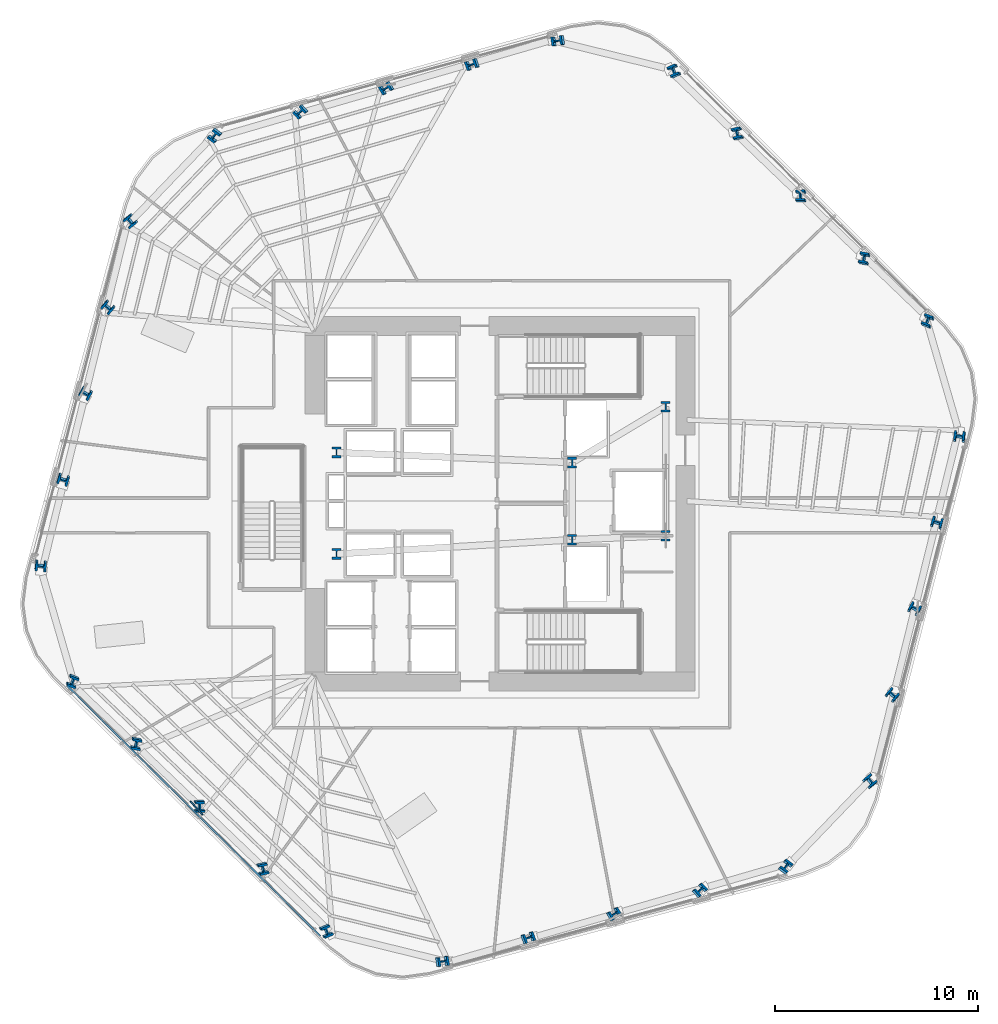
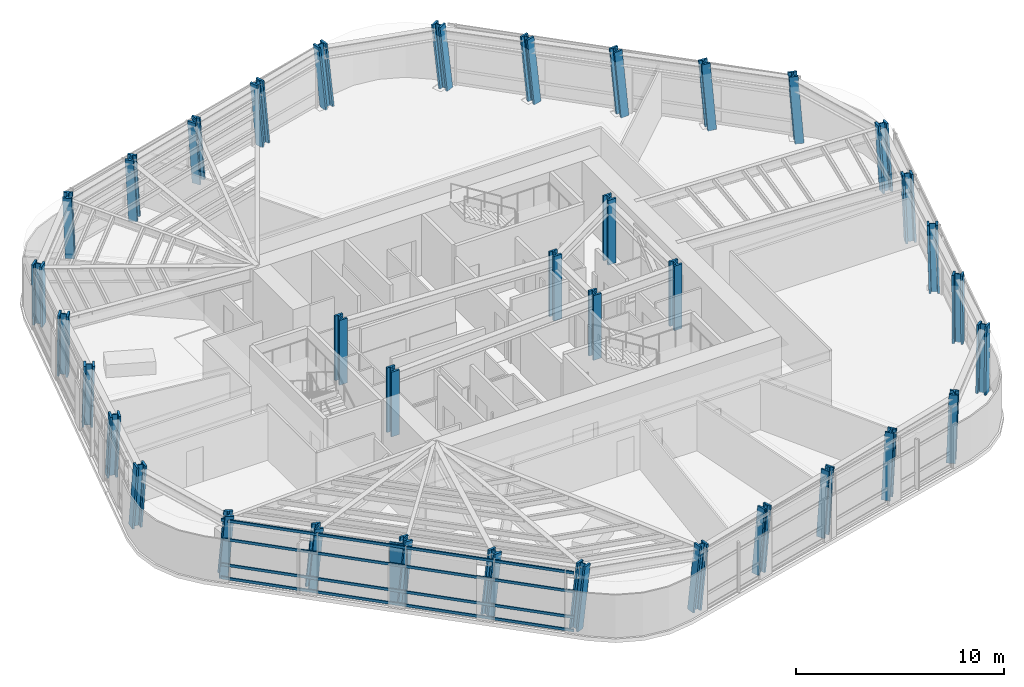
# One storey, part 1 of 16: 36 columns, 5 members, 1 element without a shape of its own.
"""IFC4 building model written with IfcOpenShell, lengths in metres."""

from ifc_helpers import new_model, si_unit, direction, frame, origin, origin_2d, place, context, subcontext, project, spatial, rectangle, i_section, extrude, material, layer, layer_set, material_profile, profile_set, type_object, element, aggregate, save


model = new_model("IFC4")

# Units and contexts
model_context = context("Model", 3, precision=1e-05, world=origin(), true_north=direction((0.0, 1.0)))
body_context = subcontext(model_context, "Body", "Model", "MODEL_VIEW")
ifc_project = project(units=[si_unit("LENGTHUNIT", "METRE"), si_unit("AREAUNIT", "SQUARE_METRE"), si_unit("VOLUMEUNIT", "CUBIC_METRE"), si_unit("PLANEANGLEUNIT", "RADIAN"), si_unit("MASSUNIT", "GRAM", prefix="KILO")], contexts=[model_context])

# Site, building, storey
site_placement = place(None, origin())
site = spatial("IfcSite", under=ifc_project, at=site_placement, CompositionType="ELEMENT")
building_placement = place(site_placement, origin())
building = spatial("IfcBuilding", under=site, at=building_placement, Name="Valkerne Bourse Tower", CompositionType="ELEMENT")
storey_placement = place(building_placement, frame((0.0, 0.0, 89.60009765625)))
storey = spatial("IfcBuildingStorey", under=building, at=storey_placement, Name="L22", CompositionType="ELEMENT", Elevation=89.60009765625)

# Columns
ifc_material_1 = material(Name="Steel ASTM A913 Grade 65", Category="steel")
ifc_material_profile_1 = material_profile(ifc_material_1, i_section(OverallWidth=0.44189453125, OverallDepth=0.531005859375, WebThickness=0.06591796875, FlangeThickness=0.105712890625, FilletRadius=0.030517578125, at=origin_2d()), Name="W14X605")
ifc_profile_set_1 = profile_set([ifc_material_profile_1], Name="Steel ASTM A913 Grade 65")
column_type = type_object("IfcColumnType", Name="COL-W14X605", PredefinedType="COLUMN", material=ifc_profile_set_1)
for number, where, z_axis, x_axis, name in (
    (1, (38.75, 24.39990234375, 0.0048828125), (0.0, 0.0, 1.0), (1.0, 0.0, 0.0), "L22 Core Frame Column CC-SW"),
    (2, (38.75, 29.39990234375, 0.0048828125), (0.0, 0.0, 1.0), (1.0, 0.0, 0.0), "L22 Core Frame Column CC-NW"),
    (3, (50.35009765625, 25.10009765625, 0.0048828125), (0.0, 0.0, 1.0), (1.0, 0.0, 0.0), "L22 Core Frame Column CC-CE1"),
    (4, (50.35009765625, 28.89990234375, 0.0048828125), (0.0, 0.0, 1.0), (1.0, 0.0, 0.0), "L22 Core Frame Column CC-CE2"),
    (5, (54.949951171875, 25.300048828125, 0.0048828125), (0.0, 0.0, 1.0), (1.0, 0.0, 0.0), "L22 Core Frame Column CC-SE"),
    (6, (54.949951171875, 31.64990234375, 0.0048828125), (0.0, 0.0, 1.0), (1.0, 0.0, 0.0), "L22 Core Frame Column CC-NE"),
):
    element("IfcColumn", number, at=place(storey_placement, frame(where, z_axis=z_axis, x_axis=x_axis)), inside=storey, type_object=column_type, Name=name, PredefinedType="COLUMN", context=body_context, shape_type="SweptSolid", body=[
        extrude(i_section(OverallWidth=0.44189453125, OverallDepth=0.531005859375, WebThickness=0.06591796875, FlangeThickness=0.105712890625, FilletRadius=0.030517578125, at=origin_2d()), origin(), (0.0, 0.0, 1.0), 3.794921875),
    ])
column_1_placement = place(storey_placement, frame((67.864013671875, 35.8232421875, 0.010009765625), z_axis=(-0.037219152092, 0.086780406432, 0.995531966226), x_axis=(0.929268027687, -0.363386246803, 0.066418132706)))
element("IfcColumn", 7, at=column_1_placement, inside=storey, type_object=column_type, Name="L22 Helical Perimeter Tube Column F1-C1", PredefinedType="COLUMN", context=body_context, shape_type="SweptSolid", body=[
    extrude(i_section(OverallWidth=0.44189453125, OverallDepth=0.531005859375, WebThickness=0.06591796875, FlangeThickness=0.105712890625, FilletRadius=0.030517578125, at=origin_2d()), origin(), (0.0, 0.0, 1.0), 3.798095703125),
])
column_2_placement = place(storey_placement, frame((64.748291015625, 38.90625, 0.010009765625), z_axis=(-0.049843021459, 0.073831985335, 0.996024352691), x_axis=(0.98112185654, -0.182958212602, 0.062659357325)))
element("IfcColumn", 8, at=column_2_placement, inside=storey, type_object=column_type, Name="L22 Helical Perimeter Tube Column F1-C2", PredefinedType="COLUMN", context=body_context, shape_type="SweptSolid", body=[
    extrude(i_section(OverallWidth=0.44189453125, OverallDepth=0.531005859375, WebThickness=0.06591796875, FlangeThickness=0.105712890625, FilletRadius=0.030517578125, at=origin_2d()), origin(), (0.0, 0.0, 1.0), 3.796142578125),
])
column_3_placement = place(storey_placement, frame((61.633056640625, 41.989013671875, 0.010009765625), z_axis=(-0.062522744902, 0.060914649611, 0.996182870678), x_axis=(0.997910122776, 0.020135506987, 0.061399904063)))
element("IfcColumn", 9, at=column_3_placement, inside=storey, type_object=column_type, Name="L22 Helical Perimeter Tube Column F1-C3", PredefinedType="COLUMN", context=body_context, shape_type="SweptSolid", body=[
    extrude(i_section(OverallWidth=0.44189453125, OverallDepth=0.531005859375, WebThickness=0.06591796875, FlangeThickness=0.105712890625, FilletRadius=0.030517578125, at=origin_2d()), origin(), (0.0, 0.0, 1.0), 3.79541015625),
])
column_4_placement = place(storey_placement, frame((58.517578125, 45.072021484375, 0.010009765625), z_axis=(-0.075182095115, 0.047913311258, 0.996018055649), x_axis=(0.972823049191, 0.222896643297, 0.062708861965)))
element("IfcColumn", 10, at=column_4_placement, inside=storey, type_object=column_type, Name="L22 Helical Perimeter Tube Column F1-C4", PredefinedType="COLUMN", context=body_context, shape_type="SweptSolid", body=[
    extrude(i_section(OverallWidth=0.44189453125, OverallDepth=0.531005859375, WebThickness=0.06591796875, FlangeThickness=0.105712890625, FilletRadius=0.030517578125, at=origin_2d()), origin(), (0.0, 0.0, 1.0), 3.796142578125),
])
for number, where, z_axis, x_axis, name in (
    (11, (55.402099609375, 48.155029296875, 0.010009765625), (-0.087744572801, 0.034904983906, 0.995531281298), (0.913391549308, 0.401626486395, 0.0664232119), "L22 Helical Perimeter Tube Column F1-C5"),
    (12, (49.69091796875, 49.6533203125, 0.010009765625), (-0.093786817478, 0.011249275571, 0.995528747283), (-0.145953052766, 0.988977472356, -0.024925199306), "L22 Helical Perimeter Tube Column F2-C1"),
):
    element("IfcColumn", number, at=place(storey_placement, frame(where, z_axis=z_axis, x_axis=x_axis)), inside=storey, type_object=column_type, Name=name, PredefinedType="COLUMN", context=body_context, shape_type="SweptSolid", body=[
        extrude(i_section(OverallWidth=0.44189453125, OverallDepth=0.531005859375, WebThickness=0.06591796875, FlangeThickness=0.105712890625, FilletRadius=0.030517578125, at=origin_2d()), origin(), (0.0, 0.0, 1.0), 3.798095703125),
    ])
column_5_placement = place(storey_placement, frame((45.463134765625, 48.496826171875, 0.010009765625), z_axis=(-0.088881214349, -0.006238406506, 0.996022696539), x_axis=(-0.329712884558, 0.943788452989, -0.023511056145)))
element("IfcColumn", 13, at=column_5_placement, inside=storey, type_object=column_type, Name="L22 Helical Perimeter Tube Column F2-C2", PredefinedType="COLUMN", context=body_context, shape_type="SweptSolid", body=[
    extrude(i_section(OverallWidth=0.44189453125, OverallDepth=0.531005859375, WebThickness=0.06591796875, FlangeThickness=0.105712890625, FilletRadius=0.030517578125, at=origin_2d()), origin(), (0.0, 0.0, 1.0), 3.796142578125),
])
column_6_placement = place(storey_placement, frame((41.235595703125, 47.34033203125, 0.010009765625), z_axis=(-0.084006990617, -0.02367118878, 0.996183969129), x_axis=(-0.514616082399, 0.857111363217, -0.023030388193)))
element("IfcColumn", 14, at=column_6_placement, inside=storey, type_object=column_type, Name="L22 Helical Perimeter Tube Column F2-C3", PredefinedType="COLUMN", context=body_context, shape_type="SweptSolid", body=[
    extrude(i_section(OverallWidth=0.44189453125, OverallDepth=0.531005859375, WebThickness=0.06591796875, FlangeThickness=0.105712890625, FilletRadius=0.030517578125, at=origin_2d()), origin(), (0.0, 0.0, 1.0), 3.79541015625),
])
column_7_placement = place(storey_placement, frame((37.0078125, 46.183837890625, 0.010009765625), z_axis=(-0.079041137837, -0.04116055998, 0.996021238143), x_axis=(-0.678614889604, 0.734117742301, -0.023515357671)))
element("IfcColumn", 15, at=column_7_placement, inside=storey, type_object=column_type, Name="L22 Helical Perimeter Tube Column F2-C4", PredefinedType="COLUMN", context=body_context, shape_type="SweptSolid", body=[
    extrude(i_section(OverallWidth=0.44189453125, OverallDepth=0.531005859375, WebThickness=0.06591796875, FlangeThickness=0.105712890625, FilletRadius=0.030517578125, at=origin_2d()), origin(), (0.0, 0.0, 1.0), 3.796142578125),
])
column_8_placement = place(storey_placement, frame((32.7802734375, 45.027099609375, 0.010009765625), z_axis=(-0.074116651947, -0.058560511642, 0.995528697919), x_axis=(-0.804099686339, 0.59397173504, -0.024925336587)))
element("IfcColumn", 16, at=column_8_placement, inside=storey, type_object=column_type, Name="L22 Helical Perimeter Tube Column F2-C5", PredefinedType="COLUMN", context=body_context, shape_type="SweptSolid", body=[
    extrude(i_section(OverallWidth=0.44189453125, OverallDepth=0.531005859375, WebThickness=0.06591796875, FlangeThickness=0.105712890625, FilletRadius=0.030517578125, at=origin_2d()), origin(), (0.0, 0.0, 1.0), 3.798095703125),
])
column_9_placement = place(storey_placement, frame((28.626953125, 40.830078125, 0.010009765625), z_axis=(-0.056568286068, -0.07553151833, 0.995537552657), x_axis=(-0.780355944072, -0.618638051368, -0.091277390143)))
element("IfcColumn", 17, at=column_9_placement, inside=storey, type_object=column_type, Name="L22 Helical Perimeter Tube Column F3-C1", PredefinedType="COLUMN", context=body_context, shape_type="SweptSolid", body=[
    extrude(i_section(OverallWidth=0.44189453125, OverallDepth=0.531005859375, WebThickness=0.06591796875, FlangeThickness=0.105712890625, FilletRadius=0.030517578125, at=origin_2d()), origin(), (0.0, 0.0, 1.0), 3.7978515625),
])
column_10_placement = place(storey_placement, frame((27.514892578125, 36.5908203125, 0.010009765625), z_axis=(-0.039102359005, -0.080134110725, 0.996016832096), x_axis=(-0.650548969153, -0.754551206964, -0.086246824893)))
element("IfcColumn", 18, at=column_10_placement, inside=storey, type_object=column_type, Name="L22 Helical Perimeter Tube Column F3-C2", PredefinedType="COLUMN", context=body_context, shape_type="SweptSolid", body=[
    extrude(i_section(OverallWidth=0.44189453125, OverallDepth=0.531005859375, WebThickness=0.06591796875, FlangeThickness=0.105712890625, FilletRadius=0.030517578125, at=origin_2d()), origin(), (0.0, 0.0, 1.0), 3.796142578125),
])
column_11_placement = place(storey_placement, frame((26.402587890625, 32.351318359375, 0.010009765625), z_axis=(-0.021484072237, -0.084649817557, 0.996179121959), x_axis=(-0.482998695499, -0.871536711455, -0.084474971045)))
element("IfcColumn", 19, at=column_11_placement, inside=storey, type_object=column_type, Name="L22 Helical Perimeter Tube Column F3-C3", PredefinedType="COLUMN", context=body_context, shape_type="SweptSolid", body=[
    extrude(i_section(OverallWidth=0.44189453125, OverallDepth=0.531005859375, WebThickness=0.06591796875, FlangeThickness=0.105712890625, FilletRadius=0.030517578125, at=origin_2d()), origin(), (0.0, 0.0, 1.0), 3.79541015625),
])
column_12_placement = place(storey_placement, frame((25.290283203125, 28.111572265625, 0.010009765625), z_axis=(-0.003923122883, -0.089009870004, 0.996023017881), x_axis=(-0.295933558492, -0.951312957449, -0.086179962561)))
element("IfcColumn", 20, at=column_12_placement, inside=storey, type_object=column_type, Name="L22 Helical Perimeter Tube Column F3-C4", PredefinedType="COLUMN", context=body_context, shape_type="SweptSolid", body=[
    extrude(i_section(OverallWidth=0.44189453125, OverallDepth=0.531005859375, WebThickness=0.06591796875, FlangeThickness=0.105712890625, FilletRadius=0.030517578125, at=origin_2d()), origin(), (0.0, 0.0, 1.0), 3.796142578125),
])
column_13_placement = place(storey_placement, frame((24.177978515625, 23.8720703125, 0.010009765625), z_axis=(0.013691970346, -0.093465375039, 0.995528379112), x_axis=(-0.111504064077, -0.989554542589, -0.091370952365)))
element("IfcColumn", 21, at=column_13_placement, inside=storey, type_object=column_type, Name="L22 Helical Perimeter Tube Column F3-C5", PredefinedType="COLUMN", context=body_context, shape_type="SweptSolid", body=[
    extrude(i_section(OverallWidth=0.44189453125, OverallDepth=0.531005859375, WebThickness=0.06591796875, FlangeThickness=0.105712890625, FilletRadius=0.030517578125, at=origin_2d()), origin(), (0.0, 0.0, 1.0), 3.798095703125),
])
column_14_placement = place(storey_placement, frame((25.736083984375, 18.1767578125, 0.010009765625), z_axis=(0.037154959126, -0.086780613876, 0.995534346001), x_axis=(0.929041089393, -0.363969270959, -0.066400482047)))
element("IfcColumn", 22, at=column_14_placement, inside=storey, type_object=column_type, Name="L22 Helical Perimeter Tube Column F4-C1", PredefinedType="COLUMN", context=body_context, shape_type="SweptSolid", body=[
    extrude(i_section(OverallWidth=0.44189453125, OverallDepth=0.531005859375, WebThickness=0.06591796875, FlangeThickness=0.105712890625, FilletRadius=0.030517578125, at=origin_2d()), origin(), (0.0, 0.0, 1.0), 3.7978515625),
])
column_15_placement = place(storey_placement, frame((28.8515625, 15.09375, 0.010009765625), z_axis=(0.049843021459, -0.073831985335, 0.996024352691), x_axis=(0.98112185654, -0.182958212602, -0.062659357325)))
element("IfcColumn", 23, at=column_15_placement, inside=storey, type_object=column_type, Name="L22 Helical Perimeter Tube Column F4-C2", PredefinedType="COLUMN", context=body_context, shape_type="SweptSolid", body=[
    extrude(i_section(OverallWidth=0.44189453125, OverallDepth=0.531005859375, WebThickness=0.06591796875, FlangeThickness=0.105712890625, FilletRadius=0.030517578125, at=origin_2d()), origin(), (0.0, 0.0, 1.0), 3.796142578125),
])
column_16_placement = place(storey_placement, frame((31.967041015625, 12.010986328125, 0.010009765625), z_axis=(0.062522744902, -0.060914649611, 0.996182870678), x_axis=(0.997910122776, 0.020135506987, -0.061399904063)))
element("IfcColumn", 24, at=column_16_placement, inside=storey, type_object=column_type, Name="L22 Helical Perimeter Tube Column F4-C3", PredefinedType="COLUMN", context=body_context, shape_type="SweptSolid", body=[
    extrude(i_section(OverallWidth=0.44189453125, OverallDepth=0.531005859375, WebThickness=0.06591796875, FlangeThickness=0.105712890625, FilletRadius=0.030517578125, at=origin_2d()), origin(), (0.0, 0.0, 1.0), 3.79541015625),
])
column_17_placement = place(storey_placement, frame((35.08251953125, 8.927978515625, 0.010009765625), z_axis=(0.075182095115, -0.047913311258, 0.996018055649), x_axis=(0.972823049191, 0.222896643297, -0.062708861965)))
element("IfcColumn", 25, at=column_17_placement, inside=storey, type_object=column_type, Name="L22 Helical Perimeter Tube Column F4-C4", PredefinedType="COLUMN", context=body_context, shape_type="SweptSolid", body=[
    extrude(i_section(OverallWidth=0.44189453125, OverallDepth=0.531005859375, WebThickness=0.06591796875, FlangeThickness=0.105712890625, FilletRadius=0.030517578125, at=origin_2d()), origin(), (0.0, 0.0, 1.0), 3.796142578125),
])
for number, where, z_axis, x_axis, name in (
    (26, (38.197998046875, 5.844970703125, 0.010009765625), (0.087744572801, -0.034904983906, 0.995531281298), (0.913391549308, 0.401626486395, -0.0664232119), "L22 Helical Perimeter Tube Column F4-C5"),
    (27, (43.9091796875, 4.3466796875, 0.010009765625), (0.093786817478, -0.011249275571, 0.995528747283), (-0.145953052766, 0.988977472356, 0.024925199306), "L22 Helical Perimeter Tube Column F5-C1"),
):
    element("IfcColumn", number, at=place(storey_placement, frame(where, z_axis=z_axis, x_axis=x_axis)), inside=storey, type_object=column_type, Name=name, PredefinedType="COLUMN", context=body_context, shape_type="SweptSolid", body=[
        extrude(i_section(OverallWidth=0.44189453125, OverallDepth=0.531005859375, WebThickness=0.06591796875, FlangeThickness=0.105712890625, FilletRadius=0.030517578125, at=origin_2d()), origin(), (0.0, 0.0, 1.0), 3.798095703125),
    ])
column_18_placement = place(storey_placement, frame((48.13671875, 5.503173828125, 0.010009765625), z_axis=(0.088945019202, 0.006238370833, 0.996017001004), x_axis=(-0.329663721693, 0.943805208105, 0.023527850579)))
element("IfcColumn", 28, at=column_18_placement, inside=storey, type_object=column_type, Name="L22 Helical Perimeter Tube Column F5-C2", PredefinedType="COLUMN", context=body_context, shape_type="SweptSolid", body=[
    extrude(i_section(OverallWidth=0.44189453125, OverallDepth=0.531005859375, WebThickness=0.06591796875, FlangeThickness=0.105712890625, FilletRadius=0.030517578125, at=origin_2d()), origin(), (0.0, 0.0, 1.0), 3.796142578125),
])
column_19_placement = place(storey_placement, frame((52.364501953125, 6.65966796875, 0.010009765625), z_axis=(0.084006990617, 0.02367118878, 0.996183969129), x_axis=(-0.514616082399, 0.857111363217, 0.023030388193)))
element("IfcColumn", 29, at=column_19_placement, inside=storey, type_object=column_type, Name="L22 Helical Perimeter Tube Column F5-C3", PredefinedType="COLUMN", context=body_context, shape_type="SweptSolid", body=[
    extrude(i_section(OverallWidth=0.44189453125, OverallDepth=0.531005859375, WebThickness=0.06591796875, FlangeThickness=0.105712890625, FilletRadius=0.030517578125, at=origin_2d()), origin(), (0.0, 0.0, 1.0), 3.79541015625),
])
column_20_placement = place(storey_placement, frame((56.592041015625, 7.816162109375, 0.010009765625), z_axis=(0.079105048926, 0.041160350661, 0.996016172945), x_axis=(-0.678369122139, 0.734344373929, 0.023530291271)))
element("IfcColumn", 30, at=column_20_placement, inside=storey, type_object=column_type, Name="L22 Helical Perimeter Tube Column F5-C4", PredefinedType="COLUMN", context=body_context, shape_type="SweptSolid", body=[
    extrude(i_section(OverallWidth=0.44189453125, OverallDepth=0.531005859375, WebThickness=0.06591796875, FlangeThickness=0.105712890625, FilletRadius=0.030517578125, at=origin_2d()), origin(), (0.0, 0.0, 1.0), 3.796142578125),
])
column_21_placement = place(storey_placement, frame((60.81982421875, 8.972900390625, 0.010009765625), z_axis=(0.074116651947, 0.058560511642, 0.995528697919), x_axis=(-0.804099686339, 0.59397173504, 0.024925336587)))
element("IfcColumn", 31, at=column_21_placement, inside=storey, type_object=column_type, Name="L22 Helical Perimeter Tube Column F5-C5", PredefinedType="COLUMN", context=body_context, shape_type="SweptSolid", body=[
    extrude(i_section(OverallWidth=0.44189453125, OverallDepth=0.531005859375, WebThickness=0.06591796875, FlangeThickness=0.105712890625, FilletRadius=0.030517578125, at=origin_2d()), origin(), (0.0, 0.0, 1.0), 3.798095703125),
])
column_22_placement = place(storey_placement, frame((64.972900390625, 13.169921875, 0.010009765625), z_axis=(0.056632362161, 0.075531243518, 0.995533930516), x_axis=(-0.780690893212, -0.61820985091, 0.091314344401)))
element("IfcColumn", 32, at=column_22_placement, inside=storey, type_object=column_type, Name="L22 Helical Perimeter Tube Column F6-C1", PredefinedType="COLUMN", context=body_context, shape_type="SweptSolid", body=[
    extrude(i_section(OverallWidth=0.44189453125, OverallDepth=0.531005859375, WebThickness=0.06591796875, FlangeThickness=0.105712890625, FilletRadius=0.030517578125, at=origin_2d()), origin(), (0.0, 0.0, 1.0), 3.7978515625),
])
column_23_placement = place(storey_placement, frame((66.085205078125, 17.4091796875, 0.010009765625), z_axis=(0.039038144007, 0.08013431208, 0.996019334822), x_axis=(-0.650060620992, -0.754975058343, 0.086219779146)))
element("IfcColumn", 33, at=column_23_placement, inside=storey, type_object=column_type, Name="L22 Helical Perimeter Tube Column F6-C2", PredefinedType="COLUMN", context=body_context, shape_type="SweptSolid", body=[
    extrude(i_section(OverallWidth=0.44189453125, OverallDepth=0.531005859375, WebThickness=0.06591796875, FlangeThickness=0.105712890625, FilletRadius=0.030517578125, at=origin_2d()), origin(), (0.0, 0.0, 1.0), 3.796142578125),
])
column_24_placement = place(storey_placement, frame((67.197509765625, 21.648681640625, 0.010009765625), z_axis=(0.021484072237, 0.084649817557, 0.996179121959), x_axis=(-0.482998695499, -0.871536711455, 0.084474971045)))
element("IfcColumn", 34, at=column_24_placement, inside=storey, type_object=column_type, Name="L22 Helical Perimeter Tube Column F6-C3", PredefinedType="COLUMN", context=body_context, shape_type="SweptSolid", body=[
    extrude(i_section(OverallWidth=0.44189453125, OverallDepth=0.531005859375, WebThickness=0.06591796875, FlangeThickness=0.105712890625, FilletRadius=0.030517578125, at=origin_2d()), origin(), (0.0, 0.0, 1.0), 3.79541015625),
])
column_25_placement = place(storey_placement, frame((68.309814453125, 25.888427734375, 0.010009765625), z_axis=(0.003858810359, 0.089009892278, 0.996023267127), x_axis=(-0.295247438197, -0.951526367911, 0.086177267352)))
element("IfcColumn", 35, at=column_25_placement, inside=storey, type_object=column_type, Name="L22 Helical Perimeter Tube Column F6-C4", PredefinedType="COLUMN", context=body_context, shape_type="SweptSolid", body=[
    extrude(i_section(OverallWidth=0.44189453125, OverallDepth=0.531005859375, WebThickness=0.06591796875, FlangeThickness=0.105712890625, FilletRadius=0.030517578125, at=origin_2d()), origin(), (0.0, 0.0, 1.0), 3.796142578125),
])
column_26_placement = place(storey_placement, frame((69.421875, 30.1279296875, 0.010009765625), z_axis=(-0.013627700761, 0.093465457109, 0.995529253262), x_axis=(-0.112170258043, -0.989480070887, 0.091362040961)))
element("IfcColumn", 36, at=column_26_placement, inside=storey, type_object=column_type, Name="L22 Helical Perimeter Tube Column F6-C5", PredefinedType="COLUMN", context=body_context, shape_type="SweptSolid", body=[
    extrude(i_section(OverallWidth=0.44189453125, OverallDepth=0.531005859375, WebThickness=0.06591796875, FlangeThickness=0.105712890625, FilletRadius=0.030517578125, at=origin_2d()), origin(), (0.0, 0.0, 1.0), 3.798095703125),
])

# Curtain wall, members
ifc_material_2 = material(Name="Aluminium AA 6063-T6", Category="aluminium")
ifc_layer = layer(ifc_material_2, 0.22998046875)
ifc_layer_set = layer_set([ifc_layer], Name="Aluminium AA 6063-T6")
curtain_wall_type = type_object("IfcCurtainWallType", Name="CW-02", PredefinedType="NOTDEFINED", material=ifc_layer_set)
curtain_wall_placement = place(storey_placement, origin())
curtain_wall = element("IfcCurtainWall", 37, at=curtain_wall_placement, inside=storey, type_object=curtain_wall_type, Name="L22 Hexagonal Stick Curtain Wall Face 4", PredefinedType="NOTDEFINED")
ifc_material_profile_2 = material_profile(ifc_material_2, rectangle(XDim=0.074951171875, YDim=0.14990234375, at=origin_2d()), Name="CWT-75X150")
ifc_profile_set_2 = profile_set([ifc_material_profile_2], Name="Aluminium AA 6063-T6")
member_type_1 = type_object("IfcMemberType", Name="CW-TRN-180X65", PredefinedType="USERDEFINED", material=ifc_profile_set_2)
member_1_placement = place(storey_placement, frame((25.48291015625, 17.9208984375, 0.119873046875), z_axis=(0.71080127217, -0.703392885578, 0.0), x_axis=(0.703392885578, 0.71080127217, 0.0)))
member_1 = element("IfcMember", 38, at=member_1_placement, type_object=member_type_1, Name="CW-L22-F4 Continuous Face Transom 1", ObjectType="TRANSOM", PredefinedType="USERDEFINED", context=body_context, shape_type="SweptSolid", body=[
    extrude(rectangle(XDim=0.074951171875, YDim=0.14990234375, at=origin_2d()), origin(), (0.0, 0.0, 1.0), 17.531982421875),
])
member_2_placement = place(storey_placement, frame((25.48291015625, 17.9208984375, 0.89990234375), z_axis=(0.71080127217, -0.703392885578, 0.0), x_axis=(0.703392885578, 0.71080127217, 0.0)))
member_2 = element("IfcMember", 39, at=member_2_placement, type_object=member_type_1, Name="CW-L22-F4 Continuous Face Transom 2", ObjectType="TRANSOM", PredefinedType="USERDEFINED", context=body_context, shape_type="SweptSolid", body=[
    extrude(rectangle(XDim=0.074951171875, YDim=0.14990234375, at=origin_2d()), origin(), (0.0, 0.0, 1.0), 17.531982421875),
])
member_3_placement = place(storey_placement, frame((25.48291015625, 17.9208984375, 2.39990234375), z_axis=(0.71080127217, -0.703392885578, 0.0), x_axis=(0.703392885578, 0.71080127217, 0.0)))
member_3 = element("IfcMember", 40, at=member_3_placement, type_object=member_type_1, Name="CW-L22-F4 Continuous Face Transom 3", ObjectType="TRANSOM", PredefinedType="USERDEFINED", context=body_context, shape_type="SweptSolid", body=[
    extrude(rectangle(XDim=0.074951171875, YDim=0.14990234375, at=origin_2d()), origin(), (0.0, 0.0, 1.0), 17.531982421875),
])
member_4_placement = place(storey_placement, frame((25.48291015625, 17.9208984375, 3.5), z_axis=(0.71080127217, -0.703392885578, 0.0), x_axis=(0.703392885578, 0.71080127217, 0.0)))
member_4 = element("IfcMember", 41, at=member_4_placement, type_object=member_type_1, Name="CW-L22-F4 Continuous Face Transom 4", ObjectType="TRANSOM", PredefinedType="USERDEFINED", context=body_context, shape_type="SweptSolid", body=[
    extrude(rectangle(XDim=0.074951171875, YDim=0.14990234375, at=origin_2d()), origin(), (0.0, 0.0, 1.0), 17.531982421875),
])
aggregate(curtain_wall, [member_1, member_2, member_3, member_4])

# Member
ifc_material_3 = material(Name="Bronze Anodised Aluminium AA 6063-T6", Category="aluminium")
ifc_material_profile_3 = material_profile(ifc_material_3, rectangle(XDim=0.070068359375, YDim=0.89990234375, at=origin_2d()), Name="FIN-70X900")
ifc_profile_set_3 = profile_set([ifc_material_profile_3], Name="Bronze Anodised Aluminium AA 6063-T6")
member_type_2 = type_object("IfcMemberType", Name="FIN-SOLAR-900", PredefinedType="USERDEFINED", material=ifc_profile_set_3)
member_5_placement = place(storey_placement, frame((31.8544921875, 11.897216796875, 0.00390625), z_axis=(0.0, 0.0, 1.0), x_axis=(-0.737744715522, -0.675079798779, 0.0)))
element("IfcMember", 42, at=member_5_placement, inside=storey, type_object=member_type_2, Name="L22 Bronze Anodised Solar Fin F4-02", ObjectType="SOLAR_FIN", PredefinedType="USERDEFINED", context=body_context, shape_type="SweptSolid", body=[
    extrude(rectangle(XDim=0.070068359375, YDim=0.89990234375, at=origin_2d()), origin(), (0.0, 0.0, 1.0), 3.572021484375),
])

save(model, "model.ifc")
